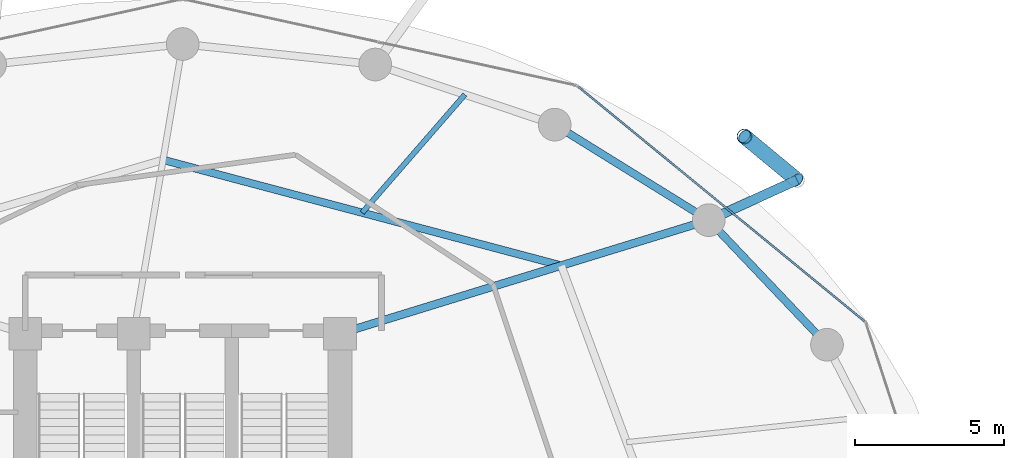
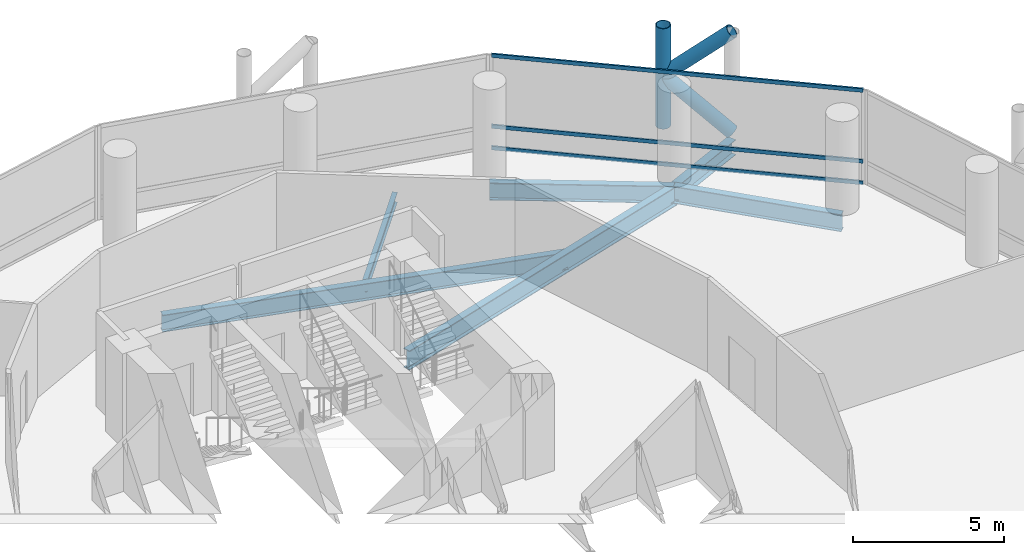
# One storey, part 17 of 24: 6 beams, 6 members, 1 element without a shape of its own.
"""IFC4 building model written with IfcOpenShell, lengths in metres."""

from ifc_helpers import new_model, si_unit, direction, frame, origin, origin_2d, place, context, subcontext, project, spatial, hollow_rectangle, hollow_circle, i_section, extrude, material, layer, layer_set, material_profile, profile_set, type_object, element, aggregate, save


model = new_model("IFC4")

# Units and contexts
model_context = context("Model", 3, precision=1e-05, world=origin(), true_north=direction((0.0, 1.0)))
body_context = subcontext(model_context, "Body", "Model", "MODEL_VIEW")
ifc_project = project(units=[si_unit("LENGTHUNIT", "METRE"), si_unit("AREAUNIT", "SQUARE_METRE"), si_unit("VOLUMEUNIT", "CUBIC_METRE"), si_unit("PLANEANGLEUNIT", "RADIAN"), si_unit("MASSUNIT", "GRAM", prefix="KILO")], contexts=[model_context])

# Site, building, storey
site_placement = place(None, origin())
site = spatial("IfcSite", under=ifc_project, at=site_placement, CompositionType="ELEMENT")
building_placement = place(site_placement, origin())
building = spatial("IfcBuilding", under=site, at=building_placement, Name="Nuhasar Tower", CompositionType="ELEMENT")
storey_placement = place(building_placement, frame((0.0, 0.0, 33.14990234375)))
storey = spatial("IfcBuildingStorey", under=building, at=storey_placement, Name="L07", CompositionType="ELEMENT", Elevation=33.14990234375)

# Beams
ifc_material_1 = material(Name="Steel S355", Category="steel")
ifc_material_profile_1 = material_profile(ifc_material_1, i_section(OverallWidth=0.25390625, OverallDepth=0.68408203125, WebThickness=0.012451171875, FlangeThickness=0.018798828125, at=origin_2d()), Name="W27X94")
ifc_profile_set_1 = profile_set([ifc_material_profile_1], Name="Steel S355")
beam_type_1 = type_object("IfcBeamType", Name="BM-INRING-W27X94", PredefinedType="BEAM", material=ifc_profile_set_1)
beam_1_placement = place(storey_placement, frame((51.748046875, 39.591064453125, -0.601806640625), z_axis=(-0.96653253005, 0.256544086574, 0.0), x_axis=(-0.256544086574, -0.96653253005, 0.0)))
element("IfcBeam", 1, at=beam_1_placement, inside=storey, type_object=beam_type_1, Name="L07 Inner Header Beam 05", PredefinedType="BEAM", context=body_context, shape_type="SweptSolid", body=[
    extrude(i_section(OverallWidth=0.25390625, OverallDepth=0.68408203125, WebThickness=0.012451171875, FlangeThickness=0.018798828125, at=origin_2d()), origin(), (0.0, 0.0, 1.0), 13.872314453125),
])
ifc_material_profile_2 = material_profile(ifc_material_1, i_section(OverallWidth=0.177978515625, OverallDepth=0.406005859375, WebThickness=0.0078125, FlangeThickness=0.0126953125, at=origin_2d()), Name="W16X40")
ifc_profile_set_2 = profile_set([ifc_material_profile_2], Name="Steel S355")
beam_type_2 = type_object("IfcBeamType", Name="BM-JST-W16X40", PredefinedType="JOIST", material=ifc_profile_set_2)
beam_2_placement = place(storey_placement, frame((45.0439453125, 41.3701171875, -0.462890625), z_axis=(0.656174129694, 0.754609509296, 0.0), x_axis=(-0.754609509296, 0.656174129694, 0.0)))
element("IfcBeam", 2, at=beam_2_placement, inside=storey, type_object=beam_type_2, Name="L07 Secondary Floor Joist 05", PredefinedType="JOIST", context=body_context, shape_type="SweptSolid", body=[
    extrude(i_section(OverallWidth=0.177978515625, OverallDepth=0.406005859375, WebThickness=0.0078125, FlangeThickness=0.0126953125, at=origin_2d()), origin(), (0.0, 0.0, 1.0), 5.27294921875),
])
ifc_material_profile_3 = material_profile(ifc_material_1, i_section(OverallWidth=0.26611328125, OverallDepth=0.779052734375, WebThickness=0.0166015625, FlangeThickness=0.030029296875, at=origin_2d()), Name="W30X148")
ifc_profile_set_3 = profile_set([ifc_material_profile_3], Name="Steel S355")
beam_type_3 = type_object("IfcBeamType", Name="BM-RAD-W30X148", PredefinedType="BEAM", material=ifc_profile_set_3)
beam_3_placement = place(storey_placement, frame((44.300048828125, 37.300048828125, -0.64892578125), z_axis=(0.955789576103, 0.294051502653, 0.0), x_axis=(-0.294051502653, 0.955789576103, 0.0)))
element("IfcBeam", 3, at=beam_3_placement, inside=storey, type_object=beam_type_3, Name="L07 Radial Floor Girder 05", PredefinedType="BEAM", context=body_context, shape_type="SweptSolid", body=[
    extrude(i_section(OverallWidth=0.26611328125, OverallDepth=0.779052734375, WebThickness=0.0166015625, FlangeThickness=0.030029296875, at=origin_2d()), origin(), (0.0, 0.0, 1.0), 12.987060546875),
])
ifc_material_profile_4 = material_profile(ifc_material_1, i_section(OverallWidth=0.256103515625, OverallDepth=0.693115234375, WebThickness=0.014404296875, FlangeThickness=0.023681640625, at=origin_2d()), Name="W27X114")
ifc_profile_set_4 = profile_set([ifc_material_profile_4], Name="Steel S355")
beam_type_4 = type_object("IfcBeamType", Name="BM-RING-W27X114", PredefinedType="SPANDREL", material=ifc_profile_set_4)
beam_4_placement = place(storey_placement, frame((60.694091796875, 36.925048828125, -0.60595703125), z_axis=(-0.688480893507, 0.725254478976, 0.0), x_axis=(-0.725254478976, -0.688480893507, 0.0)))
element("IfcBeam", 4, at=beam_4_placement, inside=storey, type_object=beam_type_4, Name="L07 Perimeter Ring Spandrel 03", PredefinedType="SPANDREL", context=body_context, shape_type="SweptSolid", body=[
    extrude(i_section(OverallWidth=0.256103515625, OverallDepth=0.693115234375, WebThickness=0.014404296875, FlangeThickness=0.023681640625, at=origin_2d()), origin(), (0.0, 0.0, 1.0), 5.782470703125),
])
beam_5_placement = place(storey_placement, frame((56.712890625, 41.118896484375, -0.60595703125), z_axis=(-0.849795216549, 0.527112976439, 0.0), x_axis=(-0.527112976439, -0.849795216549, 0.0)))
element("IfcBeam", 5, at=beam_5_placement, inside=storey, type_object=beam_type_4, Name="L07 Perimeter Ring Spandrel 04", PredefinedType="SPANDREL", context=body_context, shape_type="SweptSolid", body=[
    extrude(i_section(OverallWidth=0.256103515625, OverallDepth=0.693115234375, WebThickness=0.014404296875, FlangeThickness=0.023681640625, at=origin_2d()), origin(), (0.0, 0.0, 1.0), 6.10498046875),
])
ifc_material_profile_5 = material_profile(ifc_material_1, i_section(OverallWidth=0.323974609375, OverallDepth=0.611083984375, WebThickness=0.0126953125, FlangeThickness=0.01904296875, at=origin_2d()), Name="W24X104")
ifc_profile_set_5 = profile_set([ifc_material_profile_5], Name="Steel S355")
beam_type_5 = type_object("IfcBeamType", Name="BM-TIE-W24X104", PredefinedType="BEAM", material=ifc_profile_set_5)
beam_6_placement = place(storey_placement, frame((56.712890625, 41.118896484375, -0.56591796875), z_axis=(0.910243528587, 0.414073325227, 0.0), x_axis=(-0.414073325227, 0.910243528587, 0.0)))
element("IfcBeam", 6, at=beam_6_placement, inside=storey, type_object=beam_type_5, Name="L07 Exoskeleton Node Tie Beam 02", PredefinedType="BEAM", context=body_context, shape_type="SweptSolid", body=[
    extrude(i_section(OverallWidth=0.323974609375, OverallDepth=0.611083984375, WebThickness=0.0126953125, FlangeThickness=0.01904296875, at=origin_2d()), origin(), (0.0, 0.0, 1.0), 3.26513671875),
])

# Curtain wall, members
ifc_material_2 = material(Name="Aluminium 6063-T6", Category="aluminium")
ifc_layer = layer(ifc_material_2, 0.199951171875)
ifc_layer_set = layer_set([ifc_layer], Name="Aluminium 6063-T6")
curtain_wall_type = type_object("IfcCurtainWallType", Name="CW-Z1-OFF", PredefinedType="NOTDEFINED", material=ifc_layer_set)
curtain_wall_placement = place(storey_placement, origin())
curtain_wall = element("IfcCurtainWall", 7, at=curtain_wall_placement, inside=storey, type_object=curtain_wall_type, Name="L07 Unitised Curtain Wall 02", PredefinedType="NOTDEFINED")
ifc_material_profile_6 = material_profile(ifc_material_2, hollow_rectangle(XDim=0.06494140625, YDim=0.14990234375, WallThickness=0.00439453125, at=origin_2d()), Name="CWT-2")
ifc_profile_set_6 = profile_set([ifc_material_profile_6], Name="Aluminium 6063-T6")
member_type_1 = type_object("IfcMemberType", Name="CW-TRN-S2", PredefinedType="USERDEFINED", material=ifc_profile_set_6)
member_1_placement = place(storey_placement, frame((61.95166015625, 37.72119140625, 0.03271484375), z_axis=(-0.773540851599, 0.633746440548, 0.0), x_axis=(-0.633746440548, -0.773540851599, 0.0)))
member_1 = element("IfcMember", 8, at=member_1_placement, type_object=member_type_1, Name="CW-Z1 transom 1.1", ObjectType="TRANSOM", PredefinedType="USERDEFINED", context=body_context, shape_type="SweptSolid", body=[
    extrude(hollow_rectangle(XDim=0.06494140625, YDim=0.14990234375, WallThickness=0.00439453125, at=origin_2d()), origin(), (0.0, 0.0, 1.0), 12.43798828125),
])
member_2_placement = place(storey_placement, frame((61.95166015625, 37.72119140625, 0.900146484375), z_axis=(-0.773540851599, 0.633746440548, 0.0), x_axis=(-0.633746440548, -0.773540851599, 0.0)))
member_2 = element("IfcMember", 9, at=member_2_placement, type_object=member_type_1, Name="CW-Z1 transom 1.2", ObjectType="TRANSOM", PredefinedType="USERDEFINED", context=body_context, shape_type="SweptSolid", body=[
    extrude(hollow_rectangle(XDim=0.06494140625, YDim=0.14990234375, WallThickness=0.00439453125, at=origin_2d()), origin(), (0.0, 0.0, 1.0), 12.43798828125),
])
member_3_placement = place(storey_placement, frame((61.95166015625, 37.72119140625, 3.757568359375), z_axis=(-0.773540851599, 0.633746440548, 0.0), x_axis=(-0.633746440548, -0.773540851599, 0.0)))
member_3 = element("IfcMember", 10, at=member_3_placement, type_object=member_type_1, Name="CW-Z1 transom 1.3", ObjectType="TRANSOM", PredefinedType="USERDEFINED", context=body_context, shape_type="SweptSolid", body=[
    extrude(hollow_rectangle(XDim=0.06494140625, YDim=0.14990234375, WallThickness=0.00439453125, at=origin_2d()), origin(), (0.0, 0.0, 1.0), 12.43798828125),
])
aggregate(curtain_wall, [member_1, member_2, member_3])

# Members
ifc_material_3 = material(Name="Steel S460", Category="steel")
ifc_material_profile_7 = material_profile(ifc_material_3, hollow_circle(Radius=0.25390625, WallThickness=0.025390625, at=origin_2d()), Name="HSS508X25.4")
ifc_profile_set_7 = profile_set([ifc_material_profile_7], Name="Steel S460")
member_type_2 = type_object("IfcMemberType", Name="EXO-BRONZE-508", PredefinedType="BRACE", material=ifc_profile_set_7)
member_4_placement = place(storey_placement, frame((57.9130859375, 43.93896484375, 0.0), z_axis=(0.0, 0.0, 1.0), x_axis=(1.0, 0.0, 0.0)))
element("IfcMember", 11, at=member_4_placement, inside=storey, type_object=member_type_2, Name="L07 Exoskeleton Chord Column EC-02B", PredefinedType="BRACE", context=body_context, shape_type="SweptSolid", body=[
    extrude(hollow_circle(Radius=0.25390625, WallThickness=0.025390625, at=origin_2d()), origin(), (0.0, 0.0, 1.0), 4.050048828125),
])
member_5_placement = place(storey_placement, frame((59.68505859375, 42.470947265625, 0.0), z_axis=(-0.578071194894, 0.478911834514, 0.660664172175), x_axis=(-0.637969333506, -0.770061769929, 0.0)))
element("IfcMember", 12, at=member_5_placement, inside=storey, type_object=member_type_2, Name="L07 Bronze Diagrid Brace W1-02", PredefinedType="BRACE", context=body_context, shape_type="SweptSolid", body=[
    extrude(hollow_circle(Radius=0.25390625, WallThickness=0.025390625, at=origin_2d()), origin(), (0.0, 0.0, 1.0), 3.0654296875),
])
member_6_placement = place(storey_placement, frame((57.9130859375, 43.93896484375, 2.025146484375), z_axis=(0.578101613167, -0.478937034992, 0.660619286251), x_axis=(0.637969333506, 0.770061769929, 0.0)))
element("IfcMember", 13, at=member_6_placement, inside=storey, type_object=member_type_2, Name="L07 Bronze Diagrid Brace W2-02", PredefinedType="BRACE", context=body_context, shape_type="SweptSolid", body=[
    extrude(hollow_circle(Radius=0.25390625, WallThickness=0.025390625, at=origin_2d()), origin(), (0.0, 0.0, 1.0), 3.065185546875),
])

save(model, "model.ifc")
